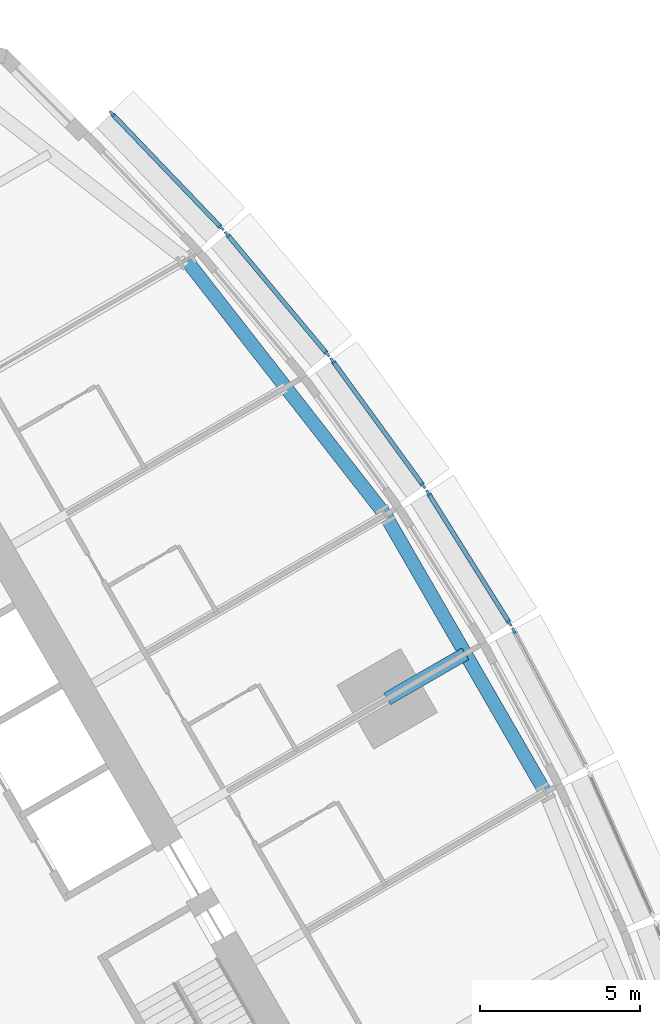
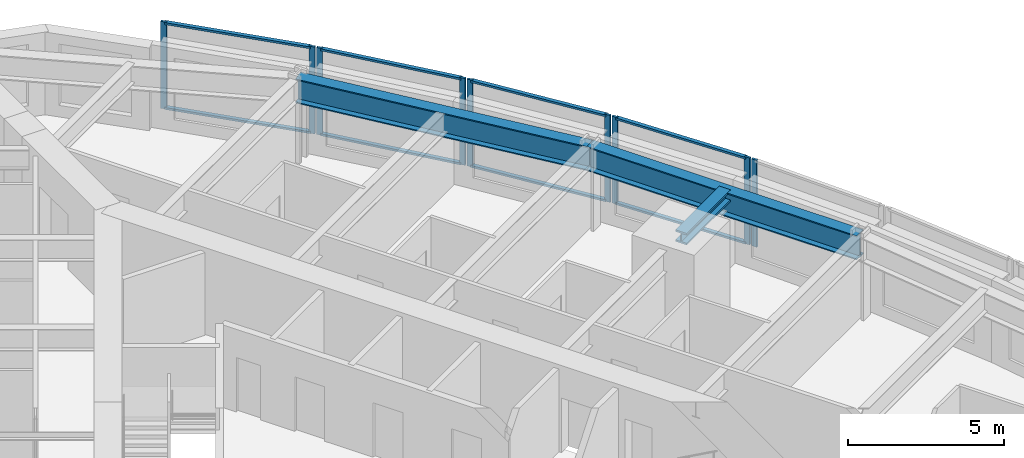
# One storey, part 5 of 14: 17 members, 3 beams, 5 elements without a shape of their own.
"""IFC4 building model written with IfcOpenShell, lengths in metres."""

import ifcopenshell
import ifcopenshell.guid

model = None  # the IFC model being written
_history = None  # IfcOwnerHistory: only IFC2X3 demands one
_inside = {}  # id of a spatial element -> (the spatial element, [elements in it])
_under = {}  # id of a project, library or spatial element -> (it, [spatial elements below it])
_declared = {}  # id of a project -> (the project, [libraries it declares])
_typed = {}  # id of a type object -> (the type object, [elements of that type])
_made_of = {}  # id of a material, layer set ... -> (it, [elements and type objects made of it])


def new_model(schema):
    """Start an empty IFC model of exactly this schema.

    Asked for "IFC4X3", IfcOpenShell would pick the latest addendum, in which some entities
    have other attributes; the version numbers below select the first issue.
    IFC2X3 requires an IfcOwnerHistory on every rooted entity: one is made here for all.
    """
    global model, _history
    if schema == "IFC4X3":
        model = ifcopenshell.file(schema_version=(4, 3, 0, 0))
    else:
        model = ifcopenshell.file(schema=schema)
    _inside.clear()
    _under.clear()
    _declared.clear()
    _typed.clear()
    _made_of.clear()
    _history = None
    if model.schema == "IFC2X3":
        org = make("IfcOrganization", Name="unknown")
        user = make(
            "IfcPersonAndOrganization",
            ThePerson=make("IfcPerson", FamilyName="unknown"),
            TheOrganization=org,
        )
        app = make(
            "IfcApplication",
            ApplicationDeveloper=org,
            Version="unknown",
            ApplicationFullName="unknown",
            ApplicationIdentifier="unknown",
        )
        _history = make(
            "IfcOwnerHistory",
            OwningUser=user,
            OwningApplication=app,
            ChangeAction="ADDED",
            CreationDate=0,
        )
    return model


def make(cls, **values):
    """One entity of the class cls with the attributes given. An attribute that is None is left unset."""
    return model.create_entity(
        cls, **{name: value for name, value in values.items() if value is not None}
    )


def rooted(cls, **values):
    """An entity with a GlobalId (a new one), such as an element, a storey or a relation."""
    return make(cls, GlobalId=ifcopenshell.guid.new(), OwnerHistory=_history, **values)


def si_unit(unit_type, name, prefix=None):
    """IfcSIUnit, for example si_unit("LENGTHUNIT", "METRE", prefix="MILLI")."""
    return make("IfcSIUnit", UnitType=unit_type, Prefix=prefix, Name=name)


def assignment(units):
    """IfcUnitAssignment: the units of a project."""
    return None if units is None else make("IfcUnitAssignment", Units=units)


def point(xyz):
    """IfcCartesianPoint."""
    return None if xyz is None else make("IfcCartesianPoint", Coordinates=xyz)


def direction(xyz):
    """IfcDirection."""
    return None if xyz is None else make("IfcDirection", DirectionRatios=xyz)


def frame(location, z_axis=None, x_axis=None):
    """IfcAxis2Placement3D, a coordinate frame: its origin and axes. An axis left out is left unset."""
    return make(
        "IfcAxis2Placement3D",
        Location=point(location),
        Axis=direction(z_axis),
        RefDirection=direction(x_axis),
    )


def frame_2d(location, x_axis=None):
    """IfcAxis2Placement2D, a coordinate frame in the plane: its origin and x axis."""
    return make(
        "IfcAxis2Placement2D", Location=point(location), RefDirection=direction(x_axis)
    )


def origin():
    """The frame at (0, 0, 0) with its axes left unset."""
    return frame((0.0, 0.0, 0.0))


def origin_2d():
    """The frame at (0, 0) in the plane with its x axis left unset."""
    return frame_2d((0.0, 0.0))


def place(relative_to, where):
    """IfcLocalPlacement: puts the frame where relative to a parent placement (None: the world)."""
    return make(
        "IfcLocalPlacement", PlacementRelTo=relative_to, RelativePlacement=where
    )


def context(
    kind, dimensions, precision=None, world=None, true_north=None, identifier=None
):
    """IfcGeometricRepresentationContext, for example the 3D "Model" context."""
    return make(
        "IfcGeometricRepresentationContext",
        ContextIdentifier=identifier,
        ContextType=kind,
        CoordinateSpaceDimension=dimensions,
        Precision=precision,
        WorldCoordinateSystem=world,
        TrueNorth=true_north,
    )


def subcontext(parent, identifier, kind, view, scale=None):
    """IfcGeometricRepresentationSubContext, for example "Body" below "Model"."""
    return make(
        "IfcGeometricRepresentationSubContext",
        ContextIdentifier=identifier,
        ContextType=kind,
        ParentContext=parent,
        TargetScale=scale,
        TargetView=view,
    )


def project(units=None, contexts=None):
    """IfcProject with its units and contexts."""
    return rooted(
        "IfcProject",
        Name="project",
        RepresentationContexts=contexts,
        UnitsInContext=assignment(units),
    )


def spatial(cls, under=None, at=None, **own):
    """A site, building, storey or space (cls), placed at a placement, below another one or the project."""
    s = rooted(cls, ObjectPlacement=at, **own)
    if under is not None:
        _under.setdefault(under.id(), (under, []))[1].append(s)
    return s


def profile(cls, at=None, kind="AREA", **sizes):
    """A parametric profile (cls). Its sizes go by their IFC names, for example OverallWidth=200.0."""
    return make(cls, ProfileType=kind, Position=at, **sizes)


def rectangle(**sizes):
    """IfcRectangleProfileDef."""
    return profile("IfcRectangleProfileDef", **sizes)


def i_section(**sizes):
    """IfcIShapeProfileDef."""
    return profile("IfcIShapeProfileDef", **sizes)


def extrude(swept, where, along, depth):
    """IfcExtrudedAreaSolid: the profile swept, set in the frame where, extruded along a direction by depth."""
    return make(
        "IfcExtrudedAreaSolid",
        SweptArea=swept,
        Position=where,
        ExtrudedDirection=direction(along),
        Depth=depth,
    )


def shape(context_of_items, identifier, shape_type, items):
    """IfcShapeRepresentation: the items that make up one representation, for example the "Body"."""
    return make(
        "IfcShapeRepresentation",
        ContextOfItems=context_of_items,
        RepresentationIdentifier=identifier,
        RepresentationType=shape_type,
        Items=items,
    )


def material(Name=None, Category=None):
    """IfcMaterial."""
    return make("IfcMaterial", Name=Name, Category=Category)


def material_profile(
    of_material, cross_section, Name=None, Category=None, Priority=None
):
    """IfcMaterialProfile: a cross section and its material."""
    return make(
        "IfcMaterialProfile",
        Name=Name,
        Material=of_material,
        Profile=cross_section,
        Priority=Priority,
        Category=Category,
    )


def profile_set(profiles, Name=None, composite=None):
    """IfcMaterialProfileSet."""
    return make(
        "IfcMaterialProfileSet",
        Name=Name,
        MaterialProfiles=profiles,
        CompositeProfile=composite,
    )


def made_of(thing, what):
    """Note that an element or type object is made of a material, layer set ...; save() writes the relation."""
    if what is not None:
        _made_of.setdefault(what.id(), (what, []))[1].append(thing)
    return thing


def type_object(cls, material=None, **own):
    """A type object (cls), such as IfcWallType, which elements share."""
    return made_of(rooted(cls, **own), material)


def element(
    cls,
    number,
    at=None,
    inside=None,
    cuts=None,
    type_object=None,
    material=None,
    context=None,
    identifier="Body",
    shape_type=None,
    held_by="IfcProductDefinitionShape",
    body=None,
    shapes=None,
    **own,
):
    """One element of the class cls, such as IfcWall. Its Tag is "e" and its number.

    at: its placement. inside: the storey or other place that contains it. cuts: it is an
    opening in that element (IfcRelVoidsElement). A single representation is given by context,
    identifier, shape_type and body (its items); several are given by shapes. held_by: the class
    of the entity that holds the representations. save() writes the other relations.
    """
    e = rooted(cls, Tag="e%d" % number, ObjectPlacement=at, **own)
    if body is not None:
        shapes = [shape(context, identifier, shape_type, body)]
    if shapes is not None:
        e.Representation = make(held_by, Representations=shapes)
    if inside is not None:
        _inside.setdefault(inside.id(), (inside, []))[1].append(e)
    if cuts is not None:
        rooted(
            "IfcRelVoidsElement", RelatingBuildingElement=cuts, RelatedOpeningElement=e
        )
    if type_object is not None:
        _typed.setdefault(type_object.id(), (type_object, []))[1].append(e)
    return made_of(e, material)


def aggregate(whole, parts):
    """IfcRelAggregates: a whole, such as a stair, and the parts it consists of."""
    return rooted("IfcRelAggregates", RelatingObject=whole, RelatedObjects=parts)


def save(model, path):
    """Write the relations noted so far, then the file.

    IfcRelAggregates (storeys below a building ...), IfcRelContainedInSpatialStructure (elements
    in a storey), IfcRelDefinesByType, IfcRelAssociatesMaterial and IfcRelDeclares: one each for
    every whole, place, type object, material and project.
    """
    for whole, parts in _under.values():
        aggregate(whole, parts)
    for where, things in _inside.values():
        rooted(
            "IfcRelContainedInSpatialStructure",
            RelatedElements=things,
            RelatingStructure=where,
        )
    for kind, things in _typed.values():
        rooted("IfcRelDefinesByType", RelatedObjects=things, RelatingType=kind)
    for what, things in _made_of.values():
        rooted("IfcRelAssociatesMaterial", RelatedObjects=things, RelatingMaterial=what)
    for by, libraries in _declared.values():
        rooted("IfcRelDeclares", RelatingContext=by, RelatedDefinitions=libraries)
    model.write(path)


model = new_model("IFC4")

# Units and contexts
model_context = context("Model", 3, precision=1e-05, world=origin(), true_north=direction((0.0, 1.0)))
body_context = subcontext(model_context, "Body", "Model", "MODEL_VIEW")
ifc_project = project(units=[si_unit("LENGTHUNIT", "METRE"), si_unit("AREAUNIT", "SQUARE_METRE"), si_unit("VOLUMEUNIT", "CUBIC_METRE"), si_unit("PLANEANGLEUNIT", "RADIAN"), si_unit("MASSUNIT", "GRAM", prefix="KILO")], contexts=[model_context])

# Site, building, storey
site_placement = place(None, origin())
site = spatial("IfcSite", under=ifc_project, at=site_placement, CompositionType="ELEMENT")
building_placement = place(site_placement, origin())
building = spatial("IfcBuilding", under=site, at=building_placement, Name="Trikona Tower", CompositionType="ELEMENT")
storey_placement = place(building_placement, frame((0.0, 0.0, 114.699951171875)))
storey = spatial("IfcBuildingStorey", under=building, at=storey_placement, Name="L29", CompositionType="ELEMENT", Elevation=114.699951171875)

# Curtain wall, member
ifc_material_1 = material(Name="Aluminium curtain wall system", Category="aluminium")
curtain_wall_type = type_object("IfcCurtainWallType", Name="Curtain wall DS2", PredefinedType="NOTDEFINED", material=ifc_material_1)
curtain_wall_1_placement = place(storey_placement, origin())
curtain_wall_1 = element("IfcCurtainWall", 1, at=curtain_wall_1_placement, inside=storey, type_object=curtain_wall_type, Name="Curtain wall DS2 L29", PredefinedType="NOTDEFINED")
ifc_material_2 = material(Name="Aluminium mullion, pale anodised", Category="aluminium")
ifc_material_profile_1 = material_profile(ifc_material_2, rectangle(XDim=0.080078125, YDim=0.199951171875, at=origin_2d()), Name="MUL-DS2")
ifc_profile_set_1 = profile_set([ifc_material_profile_1], Name="Aluminium mullion, pale anodised")
member_type_1 = type_object("IfcMemberType", Name="Mullion DS2 80x200", PredefinedType="MULLION", material=ifc_profile_set_1)
member_1_placement = place(storey_placement, frame((19.2666015625, 10.9716796875, 0.0), z_axis=(0.0, 0.0, 1.0), x_axis=(-0.882996107343, -0.469380308937, 0.0)))
member_1 = element("IfcMember", 2, at=member_1_placement, type_object=member_type_1, Name="CW-DS2 mullion 2", PredefinedType="MULLION", context=body_context, shape_type="SweptSolid", body=[
    extrude(rectangle(XDim=0.080078125, YDim=0.199951171875, at=origin_2d()), origin(), (0.0, 0.0, 1.0), 3.400146484375),
])
aggregate(curtain_wall_1, [member_1])

# Curtain wall, members
curtain_wall_2_placement = place(storey_placement, origin())
curtain_wall_2 = element("IfcCurtainWall", 3, at=curtain_wall_2_placement, inside=storey, type_object=curtain_wall_type, Name="Curtain wall DS2 L29", PredefinedType="NOTDEFINED")
member_2_placement = place(storey_placement, frame((19.135009765625, 11.199462890625, 0.0), z_axis=(0.0, 0.0, 1.0), x_axis=(-0.847998304006, -0.529998940002, 0.0)))
member_2 = element("IfcMember", 4, at=member_2_placement, type_object=member_type_1, Name="CW-DS2 mullion 1", PredefinedType="MULLION", context=body_context, shape_type="SweptSolid", body=[
    extrude(rectangle(XDim=0.080078125, YDim=0.199951171875, at=origin_2d()), origin(), (0.0, 0.0, 1.0), 3.400146484375),
])
member_3_placement = place(storey_placement, frame((16.589599609375, 15.2724609375, 0.0), z_axis=(0.0, 0.0, 1.0), x_axis=(-0.847998304006, -0.529998940002, 0.0)))
member_3 = element("IfcMember", 5, at=member_3_placement, type_object=member_type_1, Name="CW-DS2 mullion 2", PredefinedType="MULLION", context=body_context, shape_type="SweptSolid", body=[
    extrude(rectangle(XDim=0.080078125, YDim=0.199951171875, at=origin_2d()), origin(), (0.0, 0.0, 1.0), 3.400146484375),
])

curtain_wall_3_placement = place(storey_placement, origin())
curtain_wall_3 = element("IfcCurtainWall", 6, at=curtain_wall_3_placement, inside=storey, type_object=curtain_wall_type, Name="Curtain wall DS2 L29", PredefinedType="NOTDEFINED")
member_4_placement = place(storey_placement, frame((16.442626953125, 15.489990234375, 0.0), z_axis=(0.0, 0.0, 1.0), x_axis=(-0.80908576332, -0.587690588313, 0.0)))
member_4 = element("IfcMember", 7, at=member_4_placement, type_object=member_type_1, Name="CW-DS2 mullion 1", PredefinedType="MULLION", context=body_context, shape_type="SweptSolid", body=[
    extrude(rectangle(XDim=0.080078125, YDim=0.199951171875, at=origin_2d()), origin(), (0.0, 0.0, 1.0), 3.400146484375),
])
member_5_placement = place(storey_placement, frame((13.605712890625, 19.39599609375, 0.0), z_axis=(0.0, 0.0, 1.0), x_axis=(-0.80908576332, -0.587690588313, 0.0)))
member_5 = element("IfcMember", 8, at=member_5_placement, type_object=member_type_1, Name="CW-DS2 mullion 2", PredefinedType="MULLION", context=body_context, shape_type="SweptSolid", body=[
    extrude(rectangle(XDim=0.080078125, YDim=0.199951171875, at=origin_2d()), origin(), (0.0, 0.0, 1.0), 3.400146484375),
])

curtain_wall_4_placement = place(storey_placement, origin())
curtain_wall_4 = element("IfcCurtainWall", 9, at=curtain_wall_4_placement, inside=storey, type_object=curtain_wall_type, Name="Curtain wall DS2 L29", PredefinedType="NOTDEFINED")
member_6_placement = place(storey_placement, frame((13.44482421875, 19.602294921875, 0.0), z_axis=(0.0, 0.0, 1.0), x_axis=(-0.766866678271, -0.641806433248, 0.0)))
member_6 = element("IfcMember", 10, at=member_6_placement, type_object=member_type_1, Name="CW-DS2 mullion 1", PredefinedType="MULLION", context=body_context, shape_type="SweptSolid", body=[
    extrude(rectangle(XDim=0.080078125, YDim=0.199951171875, at=origin_2d()), origin(), (0.0, 0.0, 1.0), 3.400146484375),
])
member_7_placement = place(storey_placement, frame((10.315185546875, 23.34130859375, 0.0), z_axis=(0.0, 0.0, 1.0), x_axis=(-0.766866678271, -0.641806433248, 0.0)))
member_7 = element("IfcMember", 11, at=member_7_placement, type_object=member_type_1, Name="CW-DS2 mullion 2", PredefinedType="MULLION", context=body_context, shape_type="SweptSolid", body=[
    extrude(rectangle(XDim=0.080078125, YDim=0.199951171875, at=origin_2d()), origin(), (0.0, 0.0, 1.0), 3.400146484375),
])

curtain_wall_5_placement = place(storey_placement, origin())
curtain_wall_5 = element("IfcCurtainWall", 12, at=curtain_wall_5_placement, inside=storey, type_object=curtain_wall_type, Name="Curtain wall DS2 L29", PredefinedType="NOTDEFINED")
member_8_placement = place(storey_placement, frame((10.1416015625, 23.535400390625, 0.0), z_axis=(0.0, 0.0, 1.0), x_axis=(-0.722158330767, -0.691727797117, 0.0)))
member_8 = element("IfcMember", 13, at=member_8_placement, type_object=member_type_1, Name="CW-DS2 mullion 1", PredefinedType="MULLION", context=body_context, shape_type="SweptSolid", body=[
    extrude(rectangle(XDim=0.080078125, YDim=0.199951171875, at=origin_2d()), origin(), (0.0, 0.0, 1.0), 3.400146484375),
])
member_9_placement = place(storey_placement, frame((6.718994140625, 27.1083984375, 0.0), z_axis=(0.0, 0.0, 1.0), x_axis=(-0.722158330767, -0.691727797117, 0.0)))
member_9 = element("IfcMember", 14, at=member_9_placement, type_object=member_type_1, Name="CW-DS2 mullion 2", PredefinedType="MULLION", context=body_context, shape_type="SweptSolid", body=[
    extrude(rectangle(XDim=0.080078125, YDim=0.199951171875, at=origin_2d()), origin(), (0.0, 0.0, 1.0), 3.400146484375),
])

# Beams
ifc_material_3 = material(Name="Steel ASTM A992 Grade 50", Category="steel")
ifc_material_profile_2 = material_profile(ifc_material_3, i_section(OverallWidth=0.419189453125, OverallDepth=0.45458984375, WebThickness=0.042236328125, FlangeThickness=0.067626953125, at=origin_2d()), Name="W14X370")
ifc_profile_set_2 = profile_set([ifc_material_profile_2], Name="Steel ASTM A992 Grade 50")
beam_type_1 = type_object("IfcBeamType", Name="Steel beam W14x370 (apex bracket)", PredefinedType="BEAM", material=ifc_profile_set_2)
beam_1_placement = place(storey_placement, frame((15.311767578125, 8.84033203125, 3.0078125), z_axis=(0.86605005072, 0.499957307824, 0.0), x_axis=(-0.499957307824, 0.86605005072, 0.0)))
element("IfcBeam", 15, at=beam_1_placement, inside=storey, type_object=beam_type_1, Name="Cantilever bracket L30 F2", PredefinedType="BEAM", context=body_context, shape_type="SweptSolid", body=[
    extrude(i_section(OverallWidth=0.419189453125, OverallDepth=0.45458984375, WebThickness=0.042236328125, FlangeThickness=0.067626953125, at=origin_2d()), origin(), (0.0, 0.0, 1.0), 2.819580078125),
])
ifc_material_4 = material(Name="Steel ASTM A992 Grade 50", Category="steel")
ifc_material_profile_3 = material_profile(ifc_material_4, i_section(OverallWidth=0.424072265625, OverallDepth=0.947509765625, WebThickness=0.02392578125, FlangeThickness=0.042724609375, at=origin_2d()), Name="W36X302")
ifc_profile_set_3 = profile_set([ifc_material_profile_3], Name="Steel ASTM A992 Grade 50")
beam_type_2 = type_object("IfcBeamType", Name="Steel beam W36x302 (spandrel)", PredefinedType="SPANDREL", material=ifc_profile_set_3)
beam_2_placement = place(storey_placement, frame((20.253662109375, 5.919921875, 2.76123046875), z_axis=(-0.500004234368, 0.866022959057, 0.0), x_axis=(-0.866022959057, -0.500004234368, 0.0)))
element("IfcBeam", 16, at=beam_2_placement, inside=storey, type_object=beam_type_2, Name="Spandrel beam L30 F2-3", PredefinedType="SPANDREL", context=body_context, shape_type="SweptSolid", body=[
    extrude(i_section(OverallWidth=0.424072265625, OverallDepth=0.947509765625, WebThickness=0.02392578125, FlangeThickness=0.042724609375, at=origin_2d()), origin(), (0.0, 0.0, 1.0), 10.0),
])
beam_3_placement = place(storey_placement, frame((15.253662109375, 14.580078125, 2.76123046875), z_axis=(-0.615232009054, 0.788346101046, 0.0), x_axis=(-0.788346101046, -0.615232009054, 0.0)))
element("IfcBeam", 17, at=beam_3_placement, inside=storey, type_object=beam_type_2, Name="Spandrel beam L30 F2-4", PredefinedType="SPANDREL", context=body_context, shape_type="SweptSolid", body=[
    extrude(i_section(OverallWidth=0.424072265625, OverallDepth=0.947509765625, WebThickness=0.02392578125, FlangeThickness=0.042724609375, at=origin_2d()), origin(), (0.0, 0.0, 1.0), 10.09765625),
])

# Member
ifc_material_5 = material(Name="Aluminium transom, pale anodised", Category="aluminium")
ifc_material_profile_4 = material_profile(ifc_material_5, rectangle(XDim=0.139892578125, YDim=0.080078125, at=origin_2d()), Name="TRN-DS2")
ifc_profile_set_4 = profile_set([ifc_material_profile_4], Name="Aluminium transom, pale anodised")
member_type_2 = type_object("IfcMemberType", Name="Transom DS2 80x140", PredefinedType="USERDEFINED", material=ifc_profile_set_4)
member_10_placement = place(storey_placement, frame((19.114013671875, 11.2333984375, 0.0400390625), z_axis=(-0.530031463794, 0.847977975769, 0.0), x_axis=(-0.847977975769, -0.530031463794, 0.0)))
member_10 = element("IfcMember", 18, at=member_10_placement, type_object=member_type_2, Name="CW-DS2 transom 1.1", ObjectType="TRANSOM", PredefinedType="USERDEFINED", context=body_context, shape_type="SweptSolid", body=[
    extrude(rectangle(XDim=0.139892578125, YDim=0.080078125, at=origin_2d()), origin(), (0.0, 0.0, 1.0), 4.72314453125),
])

member_11_placement = place(storey_placement, frame((19.114013671875, 11.2333984375, 3.360107421875), z_axis=(-0.530031463794, 0.847977975769, 0.0), x_axis=(-0.847977975769, -0.530031463794, 0.0)))
member_11 = element("IfcMember", 19, at=member_11_placement, type_object=member_type_2, Name="CW-DS2 transom 1.2", ObjectType="TRANSOM", PredefinedType="USERDEFINED", context=body_context, shape_type="SweptSolid", body=[
    extrude(rectangle(XDim=0.139892578125, YDim=0.080078125, at=origin_2d()), origin(), (0.0, 0.0, 1.0), 4.72314453125),
])

aggregate(curtain_wall_2, [member_2, member_3, member_10, member_11])

member_12_placement = place(storey_placement, frame((16.419189453125, 15.5224609375, 0.0400390625), z_axis=(-0.587694585883, 0.809082859616, 0.0), x_axis=(-0.809082859616, -0.587694585883, 0.0)))
member_12 = element("IfcMember", 20, at=member_12_placement, type_object=member_type_2, Name="CW-DS2 transom 1.1", ObjectType="TRANSOM", PredefinedType="USERDEFINED", context=body_context, shape_type="SweptSolid", body=[
    extrude(rectangle(XDim=0.139892578125, YDim=0.080078125, at=origin_2d()), origin(), (0.0, 0.0, 1.0), 4.747314453125),
])

member_13_placement = place(storey_placement, frame((16.419189453125, 15.5224609375, 3.360107421875), z_axis=(-0.587694585883, 0.809082859616, 0.0), x_axis=(-0.809082859616, -0.587694585883, 0.0)))
member_13 = element("IfcMember", 21, at=member_13_placement, type_object=member_type_2, Name="CW-DS2 transom 1.2", ObjectType="TRANSOM", PredefinedType="USERDEFINED", context=body_context, shape_type="SweptSolid", body=[
    extrude(rectangle(XDim=0.139892578125, YDim=0.080078125, at=origin_2d()), origin(), (0.0, 0.0, 1.0), 4.747314453125),
])

aggregate(curtain_wall_3, [member_4, member_5, member_12, member_13])

member_14_placement = place(storey_placement, frame((13.4189453125, 19.6328125, 0.0400390625), z_axis=(-0.641770294892, 0.766896921753, 0.0), x_axis=(-0.766896921753, -0.641770294892, 0.0)))
member_14 = element("IfcMember", 22, at=member_14_placement, type_object=member_type_2, Name="CW-DS2 transom 1.1", ObjectType="TRANSOM", PredefinedType="USERDEFINED", context=body_context, shape_type="SweptSolid", body=[
    extrude(rectangle(XDim=0.139892578125, YDim=0.080078125, at=origin_2d()), origin(), (0.0, 0.0, 1.0), 4.7958984375),
])

member_15_placement = place(storey_placement, frame((13.4189453125, 19.6328125, 3.360107421875), z_axis=(-0.641770294892, 0.766896921753, 0.0), x_axis=(-0.766896921753, -0.641770294892, 0.0)))
member_15 = element("IfcMember", 23, at=member_15_placement, type_object=member_type_2, Name="CW-DS2 transom 1.2", ObjectType="TRANSOM", PredefinedType="USERDEFINED", context=body_context, shape_type="SweptSolid", body=[
    extrude(rectangle(XDim=0.139892578125, YDim=0.080078125, at=origin_2d()), origin(), (0.0, 0.0, 1.0), 4.7958984375),
])

aggregate(curtain_wall_4, [member_6, member_7, member_14, member_15])

member_16_placement = place(storey_placement, frame((10.114013671875, 23.564208984375, 0.0400390625), z_axis=(-0.691721246785, 0.722164605022, 0.0), x_axis=(-0.722164605022, -0.691721246785, 0.0)))
member_16 = element("IfcMember", 24, at=member_16_placement, type_object=member_type_2, Name="CW-DS2 transom 1.1", ObjectType="TRANSOM", PredefinedType="USERDEFINED", context=body_context, shape_type="SweptSolid", body=[
    extrude(rectangle(XDim=0.139892578125, YDim=0.080078125, at=origin_2d()), origin(), (0.0, 0.0, 1.0), 4.867919921875),
])

member_17_placement = place(storey_placement, frame((10.114013671875, 23.564208984375, 3.360107421875), z_axis=(-0.691721246785, 0.722164605022, 0.0), x_axis=(-0.722164605022, -0.691721246785, 0.0)))
member_17 = element("IfcMember", 25, at=member_17_placement, type_object=member_type_2, Name="CW-DS2 transom 1.2", ObjectType="TRANSOM", PredefinedType="USERDEFINED", context=body_context, shape_type="SweptSolid", body=[
    extrude(rectangle(XDim=0.139892578125, YDim=0.080078125, at=origin_2d()), origin(), (0.0, 0.0, 1.0), 4.867919921875),
])

aggregate(curtain_wall_5, [member_8, member_9, member_16, member_17])

save(model, "model.ifc")
